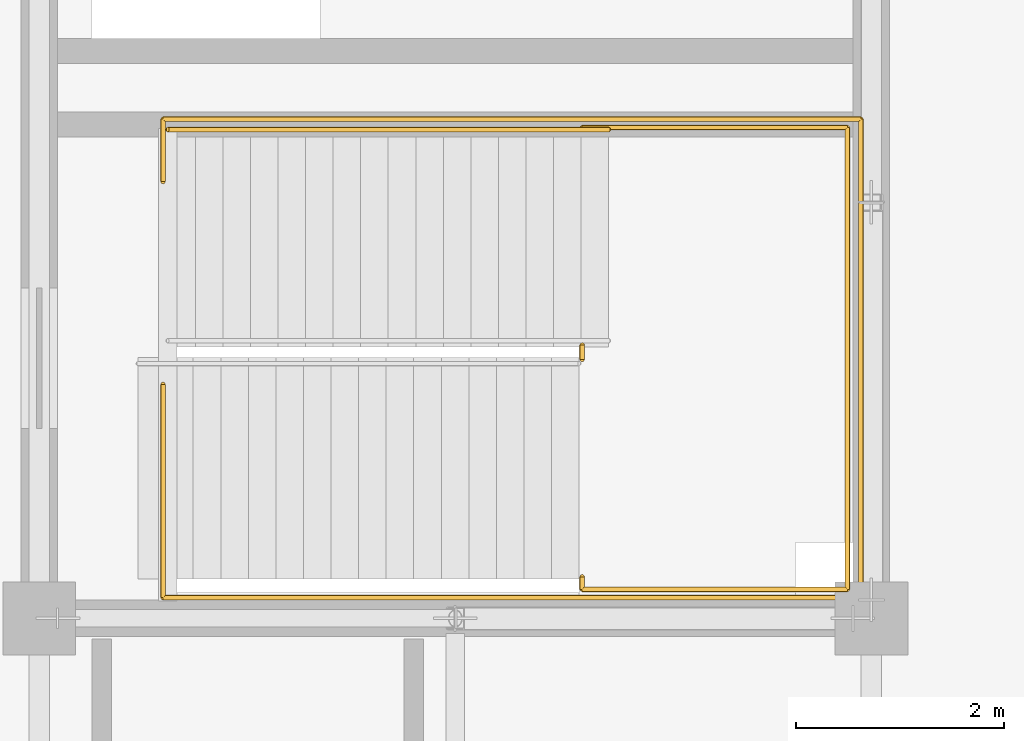
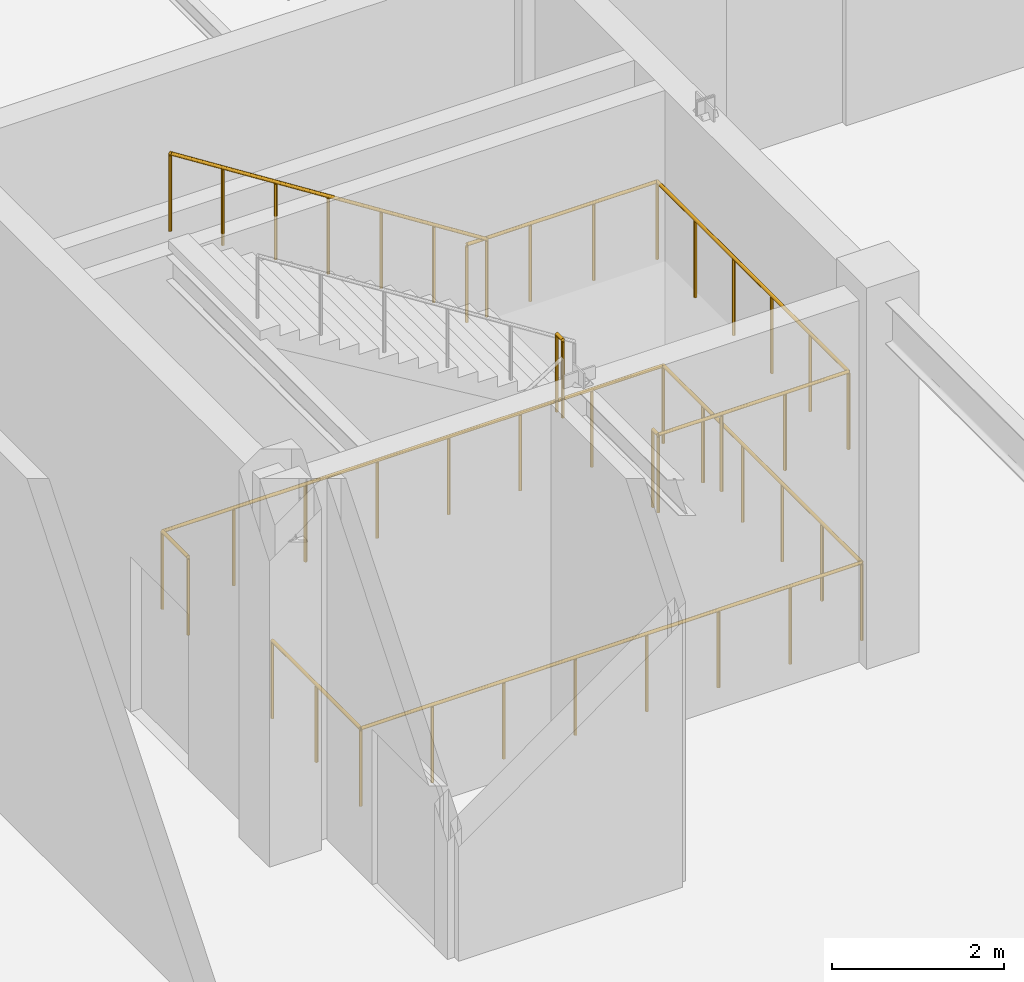
# One storey, part 111 of 119: 4 railings.
"""IFC4 building model written with IfcOpenShell, lengths in metres."""

from ifc_helpers import new_model, si_unit, direction, frame, origin, origin_2d, place, context, subcontext, project, spatial, circle, extrude, material, type_object, element, save


model = new_model("IFC4")

# Units and contexts
model_context = context("Model", 3, precision=1e-05, world=origin(), true_north=direction((0.0, 1.0)))
body_context = subcontext(model_context, "Body", "Model", "MODEL_VIEW")
ifc_project = project(units=[si_unit("LENGTHUNIT", "METRE"), si_unit("AREAUNIT", "SQUARE_METRE"), si_unit("VOLUMEUNIT", "CUBIC_METRE"), si_unit("PLANEANGLEUNIT", "RADIAN"), si_unit("MASSUNIT", "GRAM", prefix="KILO")], contexts=[model_context])

# Site, building, storey
site_placement = place(None, origin())
site = spatial("IfcSite", under=ifc_project, at=site_placement, CompositionType="ELEMENT")
building_placement = place(site_placement, origin())
building = spatial("IfcBuilding", under=site, at=building_placement, Name="Zhaolan Boulevard Law Courts", CompositionType="ELEMENT")
storey_placement = place(building_placement, origin())
storey = spatial("IfcBuildingStorey", under=building, at=storey_placement, Name="L00", CompositionType="ELEMENT", Elevation=0.0)

# Railings
ifc_material = material(Name="Powder-coated steel baluster guardrail", Category="steel")
railing_type = type_object("IfcRailingType", Name="STAIR WELL GUARDRAIL 1120", PredefinedType="GUARDRAIL", material=ifc_material)
railing_1_placement = place(storey_placement, frame((85.18994140625, 72.25, 0.0)))
element("IfcRailing", 1, at=railing_1_placement, inside=storey, type_object=railing_type, Name="Stair-Well Floor Guardrail WG-ST08-B1", PredefinedType="GUARDRAIL", context=body_context, shape_type="SweptSolid", body=[
    extrude(circle(Radius=0.02392578125, at=origin_2d()), frame((0.0, 0.0, 1.09619140625), z_axis=(0.0, -1.0, 0.0), x_axis=(1.0, 0.0, 0.0)), (0.0, 0.0, 1.0), 2.050048828125),
    extrude(circle(Radius=0.02392578125, at=origin_2d()), frame((0.0, -2.050048828125, 1.09619140625), z_axis=(1.0, 0.0, 0.0), x_axis=(0.0, 1.0, 0.0)), (0.0, 0.0, 1.0), 6.7099609375),
    extrude(circle(Radius=0.02392578125, at=origin_2d()), frame((6.7099609375, -2.050048828125, 1.09619140625), z_axis=(0.0, 1.0, 0.0), x_axis=(-1.0, 0.0, 0.0)), (0.0, 0.0, 1.0), 4.60009765625),
    extrude(circle(Radius=0.02392578125, at=origin_2d()), frame((6.7099609375, 2.550048828125, 1.09619140625), z_axis=(-1.0, 0.0, 0.0), x_axis=(0.0, -1.0, 0.0)), (0.0, 0.0, 1.0), 6.7099609375),
    extrude(circle(Radius=0.02392578125, at=origin_2d()), frame((0.0, 2.550048828125, 1.09619140625), z_axis=(0.0, -1.0, 0.0), x_axis=(1.0, 0.0, 0.0)), (0.0, 0.0, 1.0), 0.60009765625),
    extrude(circle(Radius=0.02099609375, at=origin_2d()), origin(), (0.0, 0.0, 1.0), 1.072021484375),
    extrude(circle(Radius=0.02099609375, at=origin_2d()), frame((0.0, -1.02490234375, 0.0)), (0.0, 0.0, 1.0), 1.072021484375),
    extrude(circle(Radius=0.02099609375, at=origin_2d()), frame((0.0, -2.050048828125, 0.0)), (0.0, 0.0, 1.0), 1.072021484375),
    extrude(circle(Radius=0.02099609375, at=origin_2d()), frame((0.95849609375, -2.050048828125, 0.0)), (0.0, 0.0, 1.0), 1.072021484375),
    extrude(circle(Radius=0.02099609375, at=origin_2d()), frame((1.917236328125, -2.050048828125, 0.0)), (0.0, 0.0, 1.0), 1.072021484375),
    extrude(circle(Radius=0.02099609375, at=origin_2d()), frame((2.875732421875, -2.050048828125, 0.0)), (0.0, 0.0, 1.0), 1.072021484375),
    extrude(circle(Radius=0.02099609375, at=origin_2d()), frame((3.834228515625, -2.050048828125, 0.0)), (0.0, 0.0, 1.0), 1.072021484375),
    extrude(circle(Radius=0.02099609375, at=origin_2d()), frame((4.792724609375, -2.050048828125, 0.0)), (0.0, 0.0, 1.0), 1.072021484375),
    extrude(circle(Radius=0.02099609375, at=origin_2d()), frame((5.75146484375, -2.050048828125, 0.0)), (0.0, 0.0, 1.0), 1.072021484375),
    extrude(circle(Radius=0.02099609375, at=origin_2d()), frame((6.7099609375, -2.050048828125, 0.0)), (0.0, 0.0, 1.0), 1.072021484375),
    extrude(circle(Radius=0.02099609375, at=origin_2d()), frame((6.7099609375, -1.130126953125, 0.0)), (0.0, 0.0, 1.0), 1.072021484375),
    extrude(circle(Radius=0.02099609375, at=origin_2d()), frame((6.7099609375, -0.2099609375, 0.0)), (0.0, 0.0, 1.0), 1.072021484375),
    extrude(circle(Radius=0.02099609375, at=origin_2d()), frame((6.7099609375, 0.7099609375, 0.0)), (0.0, 0.0, 1.0), 1.072021484375),
    extrude(circle(Radius=0.02099609375, at=origin_2d()), frame((6.7099609375, 1.630126953125, 0.0)), (0.0, 0.0, 1.0), 1.072021484375),
    extrude(circle(Radius=0.02099609375, at=origin_2d()), frame((6.7099609375, 2.550048828125, 0.0)), (0.0, 0.0, 1.0), 1.072021484375),
    extrude(circle(Radius=0.02099609375, at=origin_2d()), frame((5.75146484375, 2.550048828125, 0.0)), (0.0, 0.0, 1.0), 1.072021484375),
    extrude(circle(Radius=0.02099609375, at=origin_2d()), frame((4.792724609375, 2.550048828125, 0.0)), (0.0, 0.0, 1.0), 1.072021484375),
    extrude(circle(Radius=0.02099609375, at=origin_2d()), frame((3.834228515625, 2.550048828125, 0.0)), (0.0, 0.0, 1.0), 1.072021484375),
    extrude(circle(Radius=0.02099609375, at=origin_2d()), frame((2.875732421875, 2.550048828125, 0.0)), (0.0, 0.0, 1.0), 1.072021484375),
    extrude(circle(Radius=0.02099609375, at=origin_2d()), frame((1.917236328125, 2.550048828125, 0.0)), (0.0, 0.0, 1.0), 1.072021484375),
    extrude(circle(Radius=0.02099609375, at=origin_2d()), frame((0.95849609375, 2.550048828125, 0.0)), (0.0, 0.0, 1.0), 1.072021484375),
    extrude(circle(Radius=0.02099609375, at=origin_2d()), frame((0.0, 2.550048828125, 0.0)), (0.0, 0.0, 1.0), 1.072021484375),
    extrude(circle(Radius=0.02099609375, at=origin_2d()), frame((0.0, 1.949951171875, 0.0)), (0.0, 0.0, 1.0), 1.072021484375),
])
railing_2_placement = place(storey_placement, frame((89.219970703125, 70.39990234375, 2.699951171875)))
element("IfcRailing", 2, at=railing_2_placement, inside=storey, type_object=railing_type, Name="Half-Landing Guardrail SG-ST08-L00-M", PredefinedType="GUARDRAIL", context=body_context, shape_type="SweptSolid", body=[
    extrude(circle(Radius=0.02392578125, at=origin_2d()), frame((0.0, 0.0, 1.09619140625), z_axis=(0.0, -1.0, 0.0), x_axis=(1.0, 0.0, 0.0)), (0.0, 0.0, 1.0), 0.119873046875),
    extrude(circle(Radius=0.02392578125, at=origin_2d()), frame((0.0, -0.119873046875, 1.09619140625), z_axis=(1.0, 0.0, 0.0), x_axis=(0.0, 1.0, 0.0)), (0.0, 0.0, 1.0), 2.550048828125),
    extrude(circle(Radius=0.02392578125, at=origin_2d()), frame((2.550048828125, -0.119873046875, 1.09619140625), z_axis=(0.0, 1.0, 0.0), x_axis=(-1.0, 0.0, 0.0)), (0.0, 0.0, 1.0), 4.43994140625),
    extrude(circle(Radius=0.02392578125, at=origin_2d()), frame((2.550048828125, 4.320068359375, 1.09619140625), z_axis=(-1.0, 0.0, 0.0), x_axis=(0.0, -1.0, 0.0)), (0.0, 0.0, 1.0), 2.550048828125),
    extrude(circle(Radius=0.02099609375, at=origin_2d()), origin(), (0.0, 0.0, 1.0), 1.072021484375),
    extrude(circle(Radius=0.02099609375, at=origin_2d()), frame((0.0, -0.119873046875, 0.0)), (0.0, 0.0, 1.0), 1.072021484375),
    extrude(circle(Radius=0.02099609375, at=origin_2d()), frame((0.85009765625, -0.119873046875, 0.0)), (0.0, 0.0, 1.0), 1.072021484375),
    extrude(circle(Radius=0.02099609375, at=origin_2d()), frame((1.699951171875, -0.119873046875, 0.0)), (0.0, 0.0, 1.0), 1.072021484375),
    extrude(circle(Radius=0.02099609375, at=origin_2d()), frame((2.550048828125, -0.119873046875, 0.0)), (0.0, 0.0, 1.0), 1.072021484375),
    extrude(circle(Radius=0.02099609375, at=origin_2d()), frame((2.550048828125, 0.76806640625, 0.0)), (0.0, 0.0, 1.0), 1.072021484375),
    extrude(circle(Radius=0.02099609375, at=origin_2d()), frame((2.550048828125, 1.656005859375, 0.0)), (0.0, 0.0, 1.0), 1.072021484375),
    extrude(circle(Radius=0.02099609375, at=origin_2d()), frame((2.550048828125, 2.544189453125, 0.0)), (0.0, 0.0, 1.0), 1.072021484375),
    extrude(circle(Radius=0.02099609375, at=origin_2d()), frame((2.550048828125, 3.43212890625, 0.0)), (0.0, 0.0, 1.0), 1.072021484375),
    extrude(circle(Radius=0.02099609375, at=origin_2d()), frame((2.550048828125, 4.320068359375, 0.0)), (0.0, 0.0, 1.0), 1.072021484375),
    extrude(circle(Radius=0.02099609375, at=origin_2d()), frame((1.699951171875, 4.320068359375, 0.0)), (0.0, 0.0, 1.0), 1.072021484375),
    extrude(circle(Radius=0.02099609375, at=origin_2d()), frame((0.85009765625, 4.320068359375, 0.0)), (0.0, 0.0, 1.0), 1.072021484375),
    extrude(circle(Radius=0.02099609375, at=origin_2d()), frame((0.0, 4.320068359375, 0.0)), (0.0, 0.0, 1.0), 1.072021484375),
])
railing_3_placement = place(storey_placement, frame((89.219970703125, 72.489990234375, 2.699951171875)))
element("IfcRailing", 3, at=railing_3_placement, inside=storey, type_object=railing_type, Name="Half-Landing Well Guardrail SG-ST08-L00-W", PredefinedType="GUARDRAIL", context=body_context, shape_type="SweptSolid", body=[
    extrude(circle(Radius=0.02392578125, at=origin_2d()), frame((0.0, 0.0, 1.09619140625), z_axis=(0.0, 1.0, 0.0), x_axis=(-1.0, 0.0, 0.0)), (0.0, 0.0, 1.0), 0.139892578125),
    extrude(circle(Radius=0.02099609375, at=origin_2d()), origin(), (0.0, 0.0, 1.0), 1.072021484375),
    extrude(circle(Radius=0.02099609375, at=origin_2d()), frame((0.0, 0.139892578125, 0.0)), (0.0, 0.0, 1.0), 1.072021484375),
])
railing_4_placement = place(storey_placement, frame((89.47509765625, 74.699951171875, 2.699951171875)))
element("IfcRailing", 4, at=railing_4_placement, inside=storey, type_object=railing_type, Name="Flight Guardrail SG-ST08-L00-F2", PredefinedType="GUARDRAIL", context=body_context, shape_type="SweptSolid", body=[
    extrude(circle(Radius=0.02392578125, at=origin_2d()), frame((0.0, 0.0, 1.09619140625), z_axis=(-0.843501457581, 0.0, 0.537126885437), x_axis=(0.0, -1.0, 0.0)), (0.0, 0.0, 1.0), 5.026611328125),
    extrude(circle(Radius=0.02099609375, at=origin_2d()), origin(), (0.0, 0.0, 1.0), 1.072021484375),
    extrude(circle(Radius=0.02099609375, at=origin_2d()), frame((-0.70654296875, 0.0, 0.449951171875)), (0.0, 0.0, 1.0), 1.072021484375),
    extrude(circle(Radius=0.02099609375, at=origin_2d()), frame((-1.413330078125, 0.0, 0.89990234375)), (0.0, 0.0, 1.0), 1.072021484375),
    extrude(circle(Radius=0.02099609375, at=origin_2d()), frame((-2.1201171875, 0.0, 1.35009765625)), (0.0, 0.0, 1.0), 1.072021484375),
    extrude(circle(Radius=0.02099609375, at=origin_2d()), frame((-2.82666015625, 0.0, 1.800048828125)), (0.0, 0.0, 1.0), 1.072021484375),
    extrude(circle(Radius=0.02099609375, at=origin_2d()), frame((-3.533203125, 0.0, 2.25)), (0.0, 0.0, 1.0), 1.072021484375),
    extrude(circle(Radius=0.02099609375, at=origin_2d()), frame((-4.239990234375, 0.0, 2.699951171875)), (0.0, 0.0, 1.0), 1.072021484375),
])

save(model, "model.ifc")
